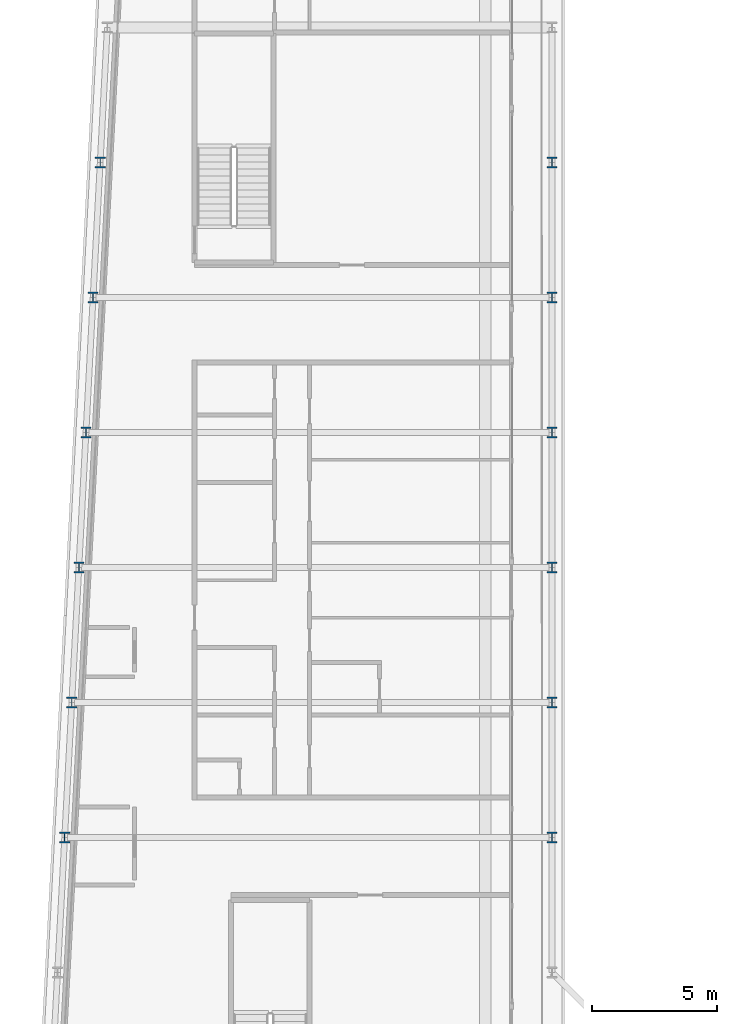
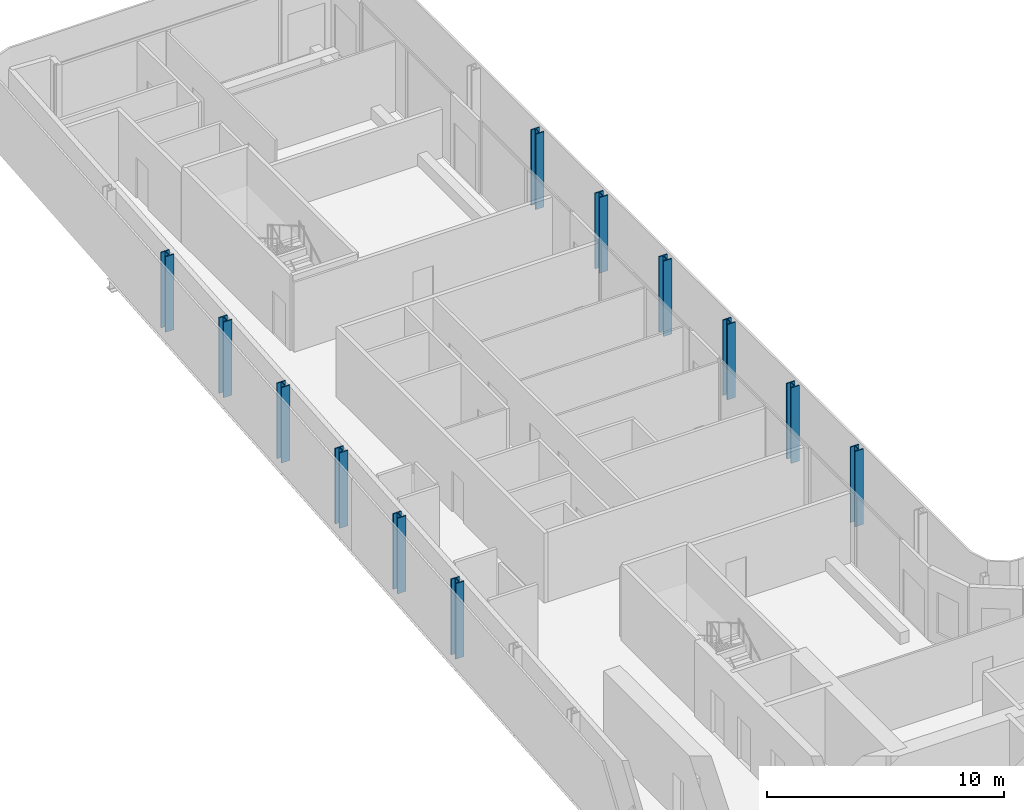
# One storey, part 3 of 29: 12 columns.
"""IFC4 building model written with IfcOpenShell, lengths in metres."""

from ifc_helpers import new_model, si_unit, direction, frame, origin, origin_2d, place, context, subcontext, project, spatial, i_section, extrude, material, material_profile, profile_set, type_object, element, save


model = new_model("IFC4")

# Units and contexts
model_context = context("Model", 3, precision=1e-05, world=origin(), true_north=direction((0.0, 1.0)))
body_context = subcontext(model_context, "Body", "Model", "MODEL_VIEW")
ifc_project = project(units=[si_unit("LENGTHUNIT", "METRE"), si_unit("AREAUNIT", "SQUARE_METRE"), si_unit("VOLUMEUNIT", "CUBIC_METRE"), si_unit("PLANEANGLEUNIT", "RADIAN"), si_unit("MASSUNIT", "GRAM", prefix="KILO")], contexts=[model_context])

# Site, building, storey
site_placement = place(None, origin())
site = spatial("IfcSite", under=ifc_project, at=site_placement, CompositionType="ELEMENT")
building_placement = place(site_placement, origin())
building = spatial("IfcBuilding", under=site, at=building_placement, Name="Kheshtan School and Residences Tower", CompositionType="ELEMENT")
storey_placement = place(building_placement, frame((0.0, 0.0, 168.199951171875)))
storey = spatial("IfcBuildingStorey", under=building, at=storey_placement, Name="L39", CompositionType="ELEMENT", Elevation=168.199951171875)

# Columns
ifc_material = material(Name="Steel ASTM A992 Grade 50", Category="steel")
ifc_material_profile = material_profile(ifc_material, i_section(OverallWidth=0.408935546875, OverallDepth=0.425048828125, WebThickness=0.03271484375, FlangeThickness=0.052490234375, FilletRadius=0.0126953125, at=origin_2d()), Name="W360x421")
ifc_profile_set = profile_set([ifc_material_profile], Name="Steel ASTM A992 Grade 50")
column_type = type_object("IfcColumnType", Name="Column C3 W360x421 ASTM A992 Grade 50", PredefinedType="COLUMN", material=ifc_profile_set)
for number, where, z_axis, x_axis, name in (
    (1, (28.10595703125, 56.39990234375, 0.0), (0.0, 0.0, 1.0), (1.0, 0.0, 0.0), "Column C080"),
    (2, (47.60009765625, 56.39990234375, 0.0), (0.0, 0.0, 1.0), (1.0, 0.0, 0.0), "Column C081"),
    (3, (28.389892578125, 61.800048828125, 0.0), (0.0, 0.0, 1.0), (1.0, 0.0, 0.0), "Column C082"),
    (4, (47.60009765625, 61.800048828125, 0.0), (0.0, 0.0, 1.0), (1.0, 0.0, 0.0), "Column C083"),
    (5, (28.674072265625, 67.199951171875, 0.0), (0.0, 0.0, 1.0), (1.0, 0.0, 0.0), "Column C084"),
    (6, (47.60009765625, 67.199951171875, 0.0), (0.0, 0.0, 1.0), (1.0, 0.0, 0.0), "Column C085"),
    (7, (28.9580078125, 72.60009765625, 0.0), (0.0, 0.0, 1.0), (1.0, 0.0, 0.0), "Column C086"),
    (8, (47.60009765625, 72.60009765625, 0.0), (0.0, 0.0, 1.0), (1.0, 0.0, 0.0), "Column C087"),
    (9, (29.242919921875, 78.0, 0.0), (0.0, 0.0, 1.0), (1.0, 0.0, 0.0), "Column C088"),
    (10, (47.60009765625, 78.0, 0.0), (0.0, 0.0, 1.0), (1.0, 0.0, 0.0), "Column C089"),
    (11, (29.527099609375, 83.39990234375, 0.0), (0.0, 0.0, 1.0), (1.0, 0.0, 0.0), "Column C090"),
    (12, (47.60009765625, 83.39990234375, 0.0), (0.0, 0.0, 1.0), (1.0, 0.0, 0.0), "Column C091"),
):
    element("IfcColumn", number, at=place(storey_placement, frame(where, z_axis=z_axis, x_axis=x_axis)), inside=storey, type_object=column_type, Name=name, PredefinedType="COLUMN", context=body_context, shape_type="SweptSolid", body=[
        extrude(i_section(OverallWidth=0.408935546875, OverallDepth=0.425048828125, WebThickness=0.03271484375, FlangeThickness=0.052490234375, FilletRadius=0.0126953125, at=origin_2d()), origin(), (0.0, 0.0, 1.0), 3.900146484375),
    ])

save(model, "model.ifc")
